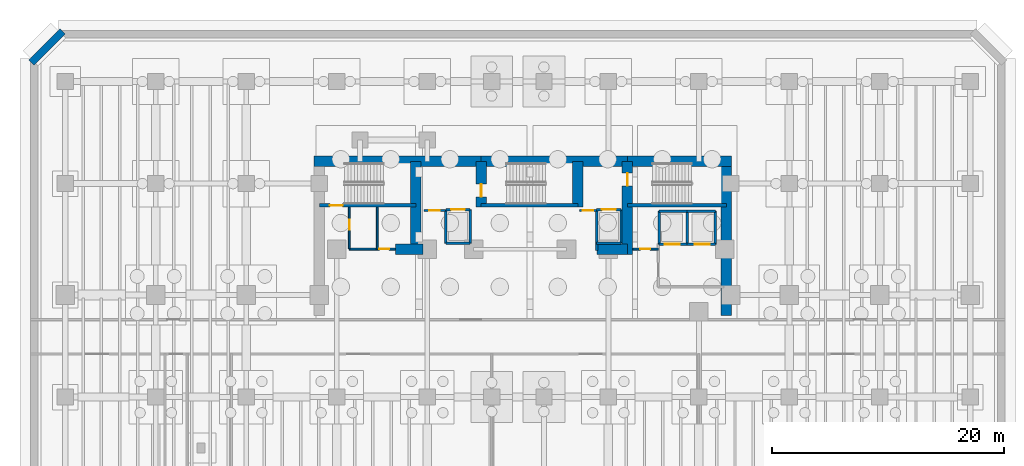
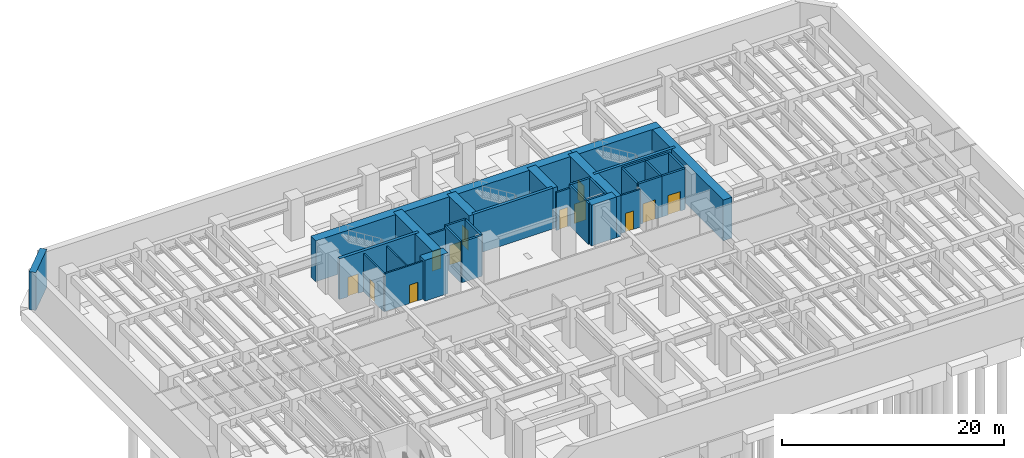
# One storey, part 9 of 13: 35 walls, 12 doors, 12 openings.
"""IFC4 building model written with IfcOpenShell, lengths in metres."""

from ifc_helpers import new_model, si_unit, direction, frame, frame_2d, origin, place, context, subcontext, project, spatial, rectangle, extrude, material, layer, layer_set, type_object, element, fill, save


model = new_model("IFC4")

# Units and contexts
model_context = context("Model", 3, precision=1e-05, world=origin(), true_north=direction((0.0, 1.0)))
body_context = subcontext(model_context, "Body", "Model", "MODEL_VIEW")
ifc_project = project(units=[si_unit("LENGTHUNIT", "METRE"), si_unit("AREAUNIT", "SQUARE_METRE"), si_unit("VOLUMEUNIT", "CUBIC_METRE"), si_unit("PLANEANGLEUNIT", "RADIAN"), si_unit("MASSUNIT", "GRAM", prefix="KILO")], contexts=[model_context])

# Site, building, storey
site_placement = place(None, origin())
site = spatial("IfcSite", under=ifc_project, at=site_placement, CompositionType="ELEMENT")
building_placement = place(site_placement, origin())
building = spatial("IfcBuilding", under=site, at=building_placement, Name="Kestravale Grand Hotel", CompositionType="ELEMENT")
storey_placement = place(building_placement, frame((0.0, 0.0, -9.0)))
storey = spatial("IfcBuildingStorey", under=building, at=storey_placement, Name="B2", CompositionType="ELEMENT", Elevation=-9.0)

# Walls
ifc_material_1 = material(Name="Concrete f'c 70 MPa", Category="concrete")
ifc_layer_1 = layer(ifc_material_1, 0.89990234375)
ifc_layer_set_1 = layer_set([ifc_layer_1], Name="EW-CORE-900")
wall_type_1 = type_object("IfcWallType", Name="EW-CORE-900", PredefinedType="SHEAR", material=ifc_layer_set_1)
wall_1_placement = place(storey_placement, frame((21.449951171875, 40.320068359375, 0.0), z_axis=(0.0, 0.0, 1.0), x_axis=(1.0, 0.0, 0.0)))
element("IfcWall", 1, at=wall_1_placement, inside=storey, type_object=wall_type_1, Name="B2 core shear wall N1", PredefinedType="SHEAR", context=body_context, shape_type="SweptSolid", body=[
    extrude(rectangle(XDim=14.400146484375, YDim=0.89990234375, at=frame_2d((7.2001953125, 0.0))), origin(), (0.0, 0.0, 1.0), 4.5),
])
wall_2_placement = place(storey_placement, frame((35.85009765625, 40.320068359375, 0.0), z_axis=(0.0, 0.0, 1.0), x_axis=(1.0, 0.0, 0.0)))
element("IfcWall", 2, at=wall_2_placement, inside=storey, type_object=wall_type_1, Name="B2 core shear wall N2", PredefinedType="SHEAR", context=body_context, shape_type="SweptSolid", body=[
    extrude(rectangle(XDim=12.599853515625, YDim=0.89990234375, at=frame_2d((6.2998046875, 0.0))), origin(), (0.0, 0.0, 1.0), 4.5),
])
wall_3_placement = place(storey_placement, frame((48.449951171875, 40.320068359375, 0.0), z_axis=(0.0, 0.0, 1.0), x_axis=(1.0, 0.0, 0.0)))
element("IfcWall", 3, at=wall_3_placement, inside=storey, type_object=wall_type_1, Name="B2 core shear wall N3", PredefinedType="SHEAR", context=body_context, shape_type="SweptSolid", body=[
    extrude(rectangle(XDim=8.969970703125, YDim=0.89990234375, at=frame_2d((4.48486328125, 0.0))), origin(), (0.0, 0.0, 1.0), 4.5),
])
wall_4_placement = place(storey_placement, frame((56.969970703125, 27.050048828125, 0.0), z_axis=(0.0, 0.0, 1.0), x_axis=(0.0, 1.0, 0.0)))
element("IfcWall", 4, at=wall_4_placement, inside=storey, type_object=wall_type_1, Name="B2 core shear wall E1", PredefinedType="SHEAR", context=body_context, shape_type="SweptSolid", body=[
    extrude(rectangle(XDim=13.719970703125, YDim=0.89990234375, at=frame_2d((6.85986328125, 0.0))), origin(), (0.0, 0.0, 1.0), 4.5),
])
wall_5_placement = place(storey_placement, frame((28.449951171875, 32.75, 0.0), z_axis=(0.0, 0.0, 1.0), x_axis=(1.0, 0.0, 0.0)))
element("IfcWall", 5, at=wall_5_placement, inside=storey, type_object=wall_type_1, Name="B2 core shear wall S1", PredefinedType="SHEAR", context=body_context, shape_type="SweptSolid", body=[
    extrude(rectangle(XDim=2.400146484375, YDim=0.89990234375, at=frame_2d((1.2001953125, 0.0))), origin(), (0.0, 0.0, 1.0), 4.5),
])
wall_6_placement = place(storey_placement, frame((45.81005859375, 32.75, 0.0), z_axis=(0.0, 0.0, 1.0), x_axis=(1.0, 0.0, 0.0)))
element("IfcWall", 6, at=wall_6_placement, inside=storey, type_object=wall_type_1, Name="B2 core shear wall S2", PredefinedType="SHEAR", context=body_context, shape_type="SweptSolid", body=[
    extrude(rectangle(XDim=2.639892578125, YDim=0.89990234375, at=frame_2d((1.31982421875, 0.0))), origin(), (0.0, 0.0, 1.0), 4.5),
])
wall_7_placement = place(storey_placement, frame((30.219970703125, 33.199951171875, 0.0), z_axis=(0.0, 0.0, 1.0), x_axis=(0.0, 1.0, 0.0)))
element("IfcWall", 7, at=wall_7_placement, inside=storey, type_object=wall_type_1, Name="B2 core shear wall X1", PredefinedType="SHEAR", context=body_context, shape_type="SweptSolid", body=[
    extrude(rectangle(XDim=7.1201171875, YDim=0.89990234375, at=frame_2d((3.56005859375, 0.0))), origin(), (0.0, 0.0, 1.0), 4.5),
])

# Wall, opening, door
wall_8_placement = place(storey_placement, frame((35.85009765625, 36.3701171875, 0.0), z_axis=(0.0, 0.0, 1.0), x_axis=(0.0, 1.0, 0.0)))
wall_8 = element("IfcWall", 8, at=wall_8_placement, inside=storey, type_object=wall_type_1, Name="B2 core shear wall X2", PredefinedType="SHEAR", context=body_context, shape_type="SweptSolid", body=[
    extrude(rectangle(XDim=3.949951171875, YDim=0.89990234375, at=frame_2d((1.97509765625, 0.0))), origin(), (0.0, 0.0, 1.0), 4.5),
])
opening_1_placement = place(wall_8_placement, frame((0.8798828125, 0.0, 0.0)))
opening_1 = element("IfcOpeningElement", 9, at=opening_1_placement, cuts=wall_8, Name="Opening D-ST-1100", PredefinedType="OPENING", context=body_context, shape_type="SweptSolid", body=[
    extrude(rectangle(XDim=1.10009765625, YDim=2.14990234375, at=frame_2d((0.550048828125, 1.074951171875))), frame((0.0, 0.4599609375, 0.0), z_axis=(0.0, -1.0, 0.0), x_axis=(1.0, 0.0, 0.0)), (0.0, 0.0, 1.0), 0.919921875),
])
ifc_material_2 = material(Name="Galvanised 90-minute fire-rated steel stair door", Category="steel")
door_type_1 = type_object("IfcDoorType", Name="D-ST-1100", OperationType="NOTDEFINED", PredefinedType="DOOR", material=ifc_material_2)
door_1_placement = place(opening_1_placement, origin())
door_1 = element("IfcDoor", 10, at=door_1_placement, inside=storey, type_object=door_type_1, Name="B2 Stair ST-2 FSAE fire door", OperationType="SINGLE_SWING_RIGHT", OverallHeight=2.14990234375, OverallWidth=1.10009765625, PredefinedType="DOOR", context=body_context, shape_type="SweptSolid", body=[
    extrude(rectangle(XDim=1.10009765625, YDim=2.14990234375, at=frame_2d((0.550048828125, 1.074951171875))), frame((0.0, 0.02490234375, 0.0), z_axis=(0.0, -1.0, 0.0), x_axis=(1.0, 0.0, 0.0)), (0.0, 0.0, 1.0), 0.050048828125),
])
fill(opening_1, door_1)

# Wall
wall_9_placement = place(storey_placement, frame((44.179931640625, 36.3701171875, 0.0), z_axis=(0.0, 0.0, 1.0), x_axis=(0.0, 1.0, 0.0)))
element("IfcWall", 11, at=wall_9_placement, inside=storey, type_object=wall_type_1, Name="B2 core shear wall X3", PredefinedType="SHEAR", context=body_context, shape_type="SweptSolid", body=[
    extrude(rectangle(XDim=3.949951171875, YDim=0.89990234375, at=frame_2d((1.97509765625, 0.0))), origin(), (0.0, 0.0, 1.0), 4.5),
])

# Wall, opening, door
wall_10_placement = place(storey_placement, frame((48.449951171875, 32.300048828125, 0.0), z_axis=(0.0, 0.0, 1.0), x_axis=(0.0, 1.0, 0.0)))
wall_10 = element("IfcWall", 12, at=wall_10_placement, inside=storey, type_object=wall_type_1, Name="B2 core shear wall X4", PredefinedType="SHEAR", context=body_context, shape_type="SweptSolid", body=[
    extrude(rectangle(XDim=8.02001953125, YDim=0.89990234375, at=frame_2d((4.010009765625, 0.0))), origin(), (0.0, 0.0, 1.0), 4.5),
])
opening_2_placement = place(wall_10_placement, frame((5.89990234375, 0.0, 0.0)))
opening_2 = element("IfcOpeningElement", 13, at=opening_2_placement, cuts=wall_10, Name="Opening D-ST-1100", PredefinedType="OPENING", context=body_context, shape_type="SweptSolid", body=[
    extrude(rectangle(XDim=1.10009765625, YDim=2.14990234375, at=frame_2d((0.550048828125, 1.074951171875))), frame((0.0, 0.4599609375, 0.0), z_axis=(0.0, -1.0, 0.0), x_axis=(1.0, 0.0, 0.0)), (0.0, 0.0, 1.0), 0.919921875),
])
door_2_placement = place(opening_2_placement, origin())
door_2 = element("IfcDoor", 14, at=door_2_placement, inside=storey, type_object=door_type_1, Name="B2 Stair ST-3 FSAE fire door", OperationType="SINGLE_SWING_RIGHT", OverallHeight=2.14990234375, OverallWidth=1.10009765625, PredefinedType="DOOR", context=body_context, shape_type="SweptSolid", body=[
    extrude(rectangle(XDim=1.10009765625, YDim=2.14990234375, at=frame_2d((0.550048828125, 1.074951171875))), frame((0.0, 0.02490234375, 0.0), z_axis=(0.0, -1.0, 0.0), x_axis=(1.0, 0.0, 0.0)), (0.0, 0.0, 1.0), 0.050048828125),
])
fill(opening_2, door_2)

# Wall
ifc_material_3 = material(Name="Concrete f'c 45 MPa", Category="concrete")
ifc_layer_2 = layer(ifc_material_3, 0.64990234375)
ifc_layer_set_2 = layer_set([ifc_layer_2], Name="EW-RET-650")
wall_type_2 = type_object("IfcWallType", Name="EW-RET-650", PredefinedType="USERDEFINED", material=ifc_layer_set_2)
wall_11_placement = place(storey_placement, frame((-0.214599609375, 51.52587890625, 0.0), z_axis=(0.0, 0.0, 1.0), x_axis=(-0.707106781187, -0.707106781187, 0.0)))
element("IfcWall", 15, at=wall_11_placement, inside=storey, type_object=wall_type_2, Name="B2 perimeter retaining wall 6", ObjectType="RETAINING WALL", PredefinedType="USERDEFINED", context=body_context, shape_type="SweptSolid", body=[
    extrude(rectangle(XDim=3.834228515625, YDim=0.64990234375, at=frame_2d((1.9169921875, 0.0))), origin(), (0.0, 0.0, 1.0), 4.179931640625),
])

# Wall, opening, door
ifc_material_4 = material(Name="Concrete f'c 45 MPa", Category="concrete")
ifc_layer_3 = layer(ifc_material_4, 0.300048828125)
ifc_layer_set_3 = layer_set([ifc_layer_3], Name="EW-STAIR-300")
wall_type_3 = type_object("IfcWallType", Name="EW-STAIR-300", PredefinedType="SHEAR", material=ifc_layer_set_3)
wall_12_placement = place(storey_placement, frame((21.89990234375, 36.52001953125, 0.0), z_axis=(0.0, 0.0, 1.0), x_axis=(1.0, 0.0, 0.0)))
wall_12 = element("IfcWall", 16, at=wall_12_placement, inside=storey, type_object=wall_type_3, Name="B2 stair enclosure shear wall SST1", PredefinedType="SHEAR", context=body_context, shape_type="SweptSolid", body=[
    extrude(rectangle(XDim=8.320068359375, YDim=0.300048828125, at=frame_2d((4.16015625, 0.0))), origin(), (0.0, 0.0, 1.0), 4.5),
])
opening_3_placement = place(wall_12_placement, frame((0.89990234375, 0.0, 0.0)))
opening_3 = element("IfcOpeningElement", 17, at=opening_3_placement, cuts=wall_12, Name="Opening D-ST-1100", PredefinedType="OPENING", context=body_context, shape_type="SweptSolid", body=[
    extrude(rectangle(XDim=1.10009765625, YDim=2.14990234375, at=frame_2d((0.550048828125, 1.074951171875))), frame((0.0, 0.159912109375, 0.0), z_axis=(0.0, -1.0, 0.0), x_axis=(1.0, 0.0, 0.0)), (0.0, 0.0, 1.0), 0.320068359375),
])
door_3_placement = place(opening_3_placement, origin())
door_3 = element("IfcDoor", 18, at=door_3_placement, inside=storey, type_object=door_type_1, Name="B2 Stair ST-1 fire door", OperationType="SINGLE_SWING_RIGHT", OverallHeight=2.14990234375, OverallWidth=1.10009765625, PredefinedType="DOOR", context=body_context, shape_type="SweptSolid", body=[
    extrude(rectangle(XDim=1.10009765625, YDim=2.14990234375, at=frame_2d((0.550048828125, 1.074951171875))), frame((0.0, 0.02490234375, 0.0), z_axis=(0.0, -1.0, 0.0), x_axis=(1.0, 0.0, 0.0)), (0.0, 0.0, 1.0), 0.050048828125),
])
fill(opening_3, door_3)

# Walls
wall_13_placement = place(storey_placement, frame((35.85009765625, 36.52001953125, 0.0), z_axis=(0.0, 0.0, 1.0), x_axis=(1.0, 0.0, 0.0)))
element("IfcWall", 19, at=wall_13_placement, inside=storey, type_object=wall_type_3, Name="B2 stair enclosure shear wall SST2", PredefinedType="SHEAR", context=body_context, shape_type="SweptSolid", body=[
    extrude(rectangle(XDim=8.329833984375, YDim=0.300048828125, at=frame_2d((4.1650390625, 0.0))), origin(), (0.0, 0.0, 1.0), 4.5),
])
wall_14_placement = place(storey_placement, frame((48.449951171875, 36.52001953125, 0.0), z_axis=(0.0, 0.0, 1.0), x_axis=(1.0, 0.0, 0.0)))
element("IfcWall", 20, at=wall_14_placement, inside=storey, type_object=wall_type_3, Name="B2 stair enclosure shear wall SST3", PredefinedType="SHEAR", context=body_context, shape_type="SweptSolid", body=[
    extrude(rectangle(XDim=8.52001953125, YDim=0.300048828125, at=frame_2d((4.260009765625, 0.0))), origin(), (0.0, 0.0, 1.0), 4.5),
])

# Wall, opening, door
ifc_material_5 = material(Name="Acoustic fire-rated gypsum board partition", Category="other")
ifc_layer_4 = layer(ifc_material_5, 0.159912109375)
ifc_layer_set_4 = layer_set([ifc_layer_4], Name="IW-CORR-160")
wall_type_4 = type_object("IfcWallType", Name="IW-CORR-160", PredefinedType="PARTITIONING", material=ifc_layer_set_4)
wall_15_placement = place(storey_placement, frame((24.47998046875, 32.800048828125, 0.0), z_axis=(0.0, 0.0, 1.0), x_axis=(0.0, 1.0, 0.0)))
wall_15 = element("IfcWall", 21, at=wall_15_placement, inside=storey, type_object=wall_type_4, Name="B2 west core vestibule wall", PredefinedType="PARTITIONING", context=body_context, shape_type="SweptSolid", body=[
    extrude(rectangle(XDim=3.570068359375, YDim=0.159912109375, at=frame_2d((1.78515625, 0.0))), origin(), (0.0, 0.0, 1.0), 4.179931640625),
])
opening_4_placement = place(wall_15_placement, frame((1.603515625, 0.0, 0.0)))
opening_4 = element("IfcOpeningElement", 22, at=opening_4_placement, cuts=wall_15, Name="Opening D-SH-900", PredefinedType="OPENING", context=body_context, shape_type="SweptSolid", body=[
    extrude(rectangle(XDim=0.89990234375, YDim=2.10009765625, at=frame_2d((0.449951171875, 1.050048828125))), frame((0.0, 0.08984375, 0.0), z_axis=(0.0, -1.0, 0.0), x_axis=(1.0, 0.0, 0.0)), (0.0, 0.0, 1.0), 0.179931640625),
])
ifc_material_6 = material(Name="Galvanised 90-minute shaft and service fire door", Category="steel")
door_type_2 = type_object("IfcDoorType", Name="D-SH-900", OperationType="NOTDEFINED", PredefinedType="DOOR", material=ifc_material_6)
door_4_placement = place(opening_4_placement, origin())
door_4 = element("IfcDoor", 23, at=door_4_placement, inside=storey, type_object=door_type_2, Name="D-B2-HK", OperationType="SINGLE_SWING_RIGHT", OverallHeight=2.10009765625, OverallWidth=0.89990234375, PredefinedType="DOOR", context=body_context, shape_type="SweptSolid", body=[
    extrude(rectangle(XDim=0.89990234375, YDim=2.10009765625, at=frame_2d((0.449951171875, 1.050048828125))), frame((0.0, 0.02490234375, 0.0), z_axis=(0.0, -1.0, 0.0), x_axis=(1.0, 0.0, 0.0)), (0.0, 0.0, 1.0), 0.050048828125),
])
fill(opening_4, door_4)

wall_16_placement = place(storey_placement, frame((24.47998046875, 32.75, 0.0), z_axis=(0.0, 0.0, 1.0), x_axis=(1.0, 0.0, 0.0)))
wall_16 = element("IfcWall", 24, at=wall_16_placement, inside=storey, type_object=wall_type_4, Name="W-B2-CWS", PredefinedType="PARTITIONING", context=body_context, shape_type="SweptSolid", body=[
    extrude(rectangle(XDim=3.969970703125, YDim=0.159912109375, at=frame_2d((1.98486328125, 0.0))), origin(), (0.0, 0.0, 1.0), 4.179931640625),
])
opening_5_placement = place(wall_16_placement, frame((2.5849609375, 0.0, 0.0)))
opening_5 = element("IfcOpeningElement", 25, at=opening_5_placement, cuts=wall_16, Name="Opening D-SH-860", PredefinedType="OPENING", context=body_context, shape_type="SweptSolid", body=[
    extrude(rectangle(XDim=0.860107421875, YDim=2.050048828125, at=frame_2d((0.43017578125, 1.02490234375))), frame((0.0, 0.08984375, 0.0), z_axis=(0.0, -1.0, 0.0), x_axis=(1.0, 0.0, 0.0)), (0.0, 0.0, 1.0), 0.179931640625),
])
ifc_material_7 = material(Name="Galvanised 90-minute riser fire door", Category="steel")
door_type_3 = type_object("IfcDoorType", Name="D-SH-860", OperationType="NOTDEFINED", PredefinedType="DOOR", material=ifc_material_7)
door_5_placement = place(opening_5_placement, origin())
door_5 = element("IfcDoor", 26, at=door_5_placement, inside=storey, type_object=door_type_3, Name="D-B2-ELEC", OperationType="SINGLE_SWING_RIGHT", OverallHeight=2.050048828125, OverallWidth=0.860107421875, PredefinedType="DOOR", context=body_context, shape_type="SweptSolid", body=[
    extrude(rectangle(XDim=0.860107421875, YDim=2.050048828125, at=frame_2d((0.43017578125, 1.02490234375))), frame((0.0, 0.02490234375, 0.0), z_axis=(0.0, -1.0, 0.0), x_axis=(1.0, 0.0, 0.0)), (0.0, 0.0, 1.0), 0.050048828125),
])
fill(opening_5, door_5)

wall_17_placement = place(storey_placement, frame((48.919921875, 32.75, 0.0), z_axis=(0.0, 0.0, 1.0), x_axis=(1.0, 0.0, 0.0)))
wall_17 = element("IfcWall", 27, at=wall_17_placement, inside=storey, type_object=wall_type_4, Name="W-B2-CES", PredefinedType="PARTITIONING", context=body_context, shape_type="SweptSolid", body=[
    extrude(rectangle(XDim=2.2001953125, YDim=0.159912109375, at=frame_2d((1.10009765625, 0.0))), origin(), (0.0, 0.0, 1.0), 4.179931640625),
])
opening_6_placement = place(wall_17_placement, frame((0.64990234375, 0.0, 0.0)))
opening_6 = element("IfcOpeningElement", 28, at=opening_6_placement, cuts=wall_17, Name="Opening D-SH-860", PredefinedType="OPENING", context=body_context, shape_type="SweptSolid", body=[
    extrude(rectangle(XDim=0.860107421875, YDim=2.050048828125, at=frame_2d((0.43017578125, 1.02490234375))), frame((0.0, 0.08984375, 0.0), z_axis=(0.0, -1.0, 0.0), x_axis=(1.0, 0.0, 0.0)), (0.0, 0.0, 1.0), 0.179931640625),
])
door_6_placement = place(opening_6_placement, origin())
door_6 = element("IfcDoor", 29, at=door_6_placement, inside=storey, type_object=door_type_3, Name="B2 CSTO1 door", OperationType="SINGLE_SWING_RIGHT", OverallHeight=2.050048828125, OverallWidth=0.860107421875, PredefinedType="DOOR", context=body_context, shape_type="SweptSolid", body=[
    extrude(rectangle(XDim=0.860107421875, YDim=2.050048828125, at=frame_2d((0.43017578125, 1.02490234375))), frame((0.0, 0.02490234375, 0.0), z_axis=(0.0, -1.0, 0.0), x_axis=(1.0, 0.0, 0.0)), (0.0, 0.0, 1.0), 0.050048828125),
])
fill(opening_6, door_6)

ifc_material_8 = material(Name="Fire-rated gypsum board on steel studs with mineral wool", Category="steel")
ifc_layer_5 = layer(ifc_material_8, 0.179931640625)
ifc_layer_set_5 = layer_set([ifc_layer_5], Name="IW-FSAE-180")
wall_type_5 = type_object("IfcWallType", Name="IW-FSAE-180", PredefinedType="PARTITIONING", material=ifc_layer_set_5)
wall_18_placement = place(storey_placement, frame((30.89990234375, 36.080078125, 0.0), z_axis=(0.0, 0.0, 1.0), x_axis=(1.0, 0.0, 0.0)))
wall_18 = element("IfcWall", 30, at=wall_18_placement, inside=storey, type_object=wall_type_5, Name="B2 FSAE Lobby 1 smoke barrier", PredefinedType="PARTITIONING", context=body_context, shape_type="SweptSolid", body=[
    extrude(rectangle(XDim=1.85009765625, YDim=0.179931640625, at=frame_2d((0.925048828125, 0.0))), origin(), (0.0, 0.0, 1.0), 4.179931640625),
])
opening_7_placement = place(wall_18_placement, frame((0.47998046875, 0.0, 0.0)))
opening_7 = element("IfcOpeningElement", 31, at=opening_7_placement, cuts=wall_18, Name="Opening D-FSAE-1000", PredefinedType="OPENING", context=body_context, shape_type="SweptSolid", body=[
    extrude(rectangle(XDim=0.89990234375, YDim=2.14990234375, at=frame_2d((0.449951171875, 1.074951171875))), frame((0.0, 0.099853515625, 0.0), z_axis=(0.0, -1.0, 0.0), x_axis=(1.0, 0.0, 0.0)), (0.0, 0.0, 1.0), 0.199951171875),
])
ifc_material_9 = material(Name="Smoke-gasketed FSAE lobby fire door", Category="steel")
door_type_4 = type_object("IfcDoorType", Name="D-FSAE-1000", OperationType="NOTDEFINED", PredefinedType="DOOR", material=ifc_material_9)
door_7_placement = place(opening_7_placement, origin())
door_7 = element("IfcDoor", 32, at=door_7_placement, inside=storey, type_object=door_type_4, Name="B2 FSAE Lobby 1 fire door", OperationType="SINGLE_SWING_RIGHT", OverallHeight=2.14990234375, OverallWidth=0.89990234375, PredefinedType="DOOR", context=body_context, shape_type="SweptSolid", body=[
    extrude(rectangle(XDim=0.89990234375, YDim=2.14990234375, at=frame_2d((0.449951171875, 1.074951171875))), frame((0.0, 0.02490234375, 0.0), z_axis=(0.0, -1.0, 0.0), x_axis=(1.0, 0.0, 0.0)), (0.0, 0.0, 1.0), 0.050048828125),
])
fill(opening_7, door_7)

wall_19_placement = place(storey_placement, frame((44.300048828125, 36.080078125, 0.0), z_axis=(0.0, 0.0, 1.0), x_axis=(1.0, 0.0, 0.0)))
wall_19 = element("IfcWall", 33, at=wall_19_placement, inside=storey, type_object=wall_type_5, Name="B2 FSAE Lobby 2 smoke barrier", PredefinedType="PARTITIONING", context=body_context, shape_type="SweptSolid", body=[
    extrude(rectangle(XDim=1.5, YDim=0.179931640625, at=frame_2d((0.75, 0.0))), origin(), (0.0, 0.0, 1.0), 4.179931640625),
])
opening_8_placement = place(wall_19_placement, frame((0.300048828125, 0.0, 0.0)))
opening_8 = element("IfcOpeningElement", 34, at=opening_8_placement, cuts=wall_19, Name="Opening D-FSAE-1000", PredefinedType="OPENING", context=body_context, shape_type="SweptSolid", body=[
    extrude(rectangle(XDim=0.89990234375, YDim=2.14990234375, at=frame_2d((0.449951171875, 1.074951171875))), frame((0.0, 0.099853515625, 0.0), z_axis=(0.0, -1.0, 0.0), x_axis=(1.0, 0.0, 0.0)), (0.0, 0.0, 1.0), 0.199951171875),
])
door_8_placement = place(opening_8_placement, origin())
door_8 = element("IfcDoor", 35, at=door_8_placement, inside=storey, type_object=door_type_4, Name="B2 FSAE Lobby 2 fire door", OperationType="SINGLE_SWING_LEFT", OverallHeight=2.14990234375, OverallWidth=0.89990234375, PredefinedType="DOOR", context=body_context, shape_type="SweptSolid", body=[
    extrude(rectangle(XDim=0.89990234375, YDim=2.14990234375, at=frame_2d((0.449951171875, 1.074951171875))), frame((0.0, 0.02490234375, 0.0), z_axis=(0.0, -1.0, 0.0), x_axis=(1.0, 0.0, 0.0)), (0.0, 0.0, 1.0), 0.050048828125),
])
fill(opening_8, door_8)

# Walls
ifc_material_10 = material(Name="Concrete f'c 45 MPa", Category="concrete")
ifc_layer_6 = layer(ifc_material_10, 0.199951171875)
ifc_layer_set_6 = layer_set([ifc_layer_6], Name="IW-SHAFT-200")
wall_type_6 = type_object("IfcWallType", Name="IW-SHAFT-200", PredefinedType="SHEAR", material=ifc_layer_set_6)
for number, where, z_axis, x_axis, name in (
    (36, (51.179931640625, 33.169921875, 0.0), (0.0, 0.0, 1.0), (0.0, 1.0, 0.0), "B2 SL-1 west shaft wall"),
    (37, (53.60009765625, 33.169921875, 0.0), (0.0, 0.0, 1.0), (0.0, 1.0, 0.0), "B2 SL-2 west shaft wall"),
    (38, (56.02001953125, 33.169921875, 0.0), (0.0, 0.0, 1.0), (0.0, 1.0, 0.0), "B2 SL-2 east shaft wall"),
):
    element("IfcWall", number, at=place(storey_placement, frame(where, z_axis=z_axis, x_axis=x_axis)), inside=storey, type_object=wall_type_6, Name=name, PredefinedType="SHEAR", context=body_context, shape_type="SweptSolid", body=[
        extrude(rectangle(XDim=2.860107421875, YDim=0.199951171875, at=frame_2d((1.43017578125, 0.0))), origin(), (0.0, 0.0, 1.0), 4.5),
    ])
for number, where, z_axis, x_axis, name in (
    (39, (32.804931640625, 33.2451171875, 0.0), (0.0, 0.0, 1.0), (0.0, 1.0, 0.0), "B2 FL-1 west shaft wall"),
    (40, (34.89501953125, 33.2451171875, 0.0), (0.0, 0.0, 1.0), (0.0, 1.0, 0.0), "B2 FL-1 east shaft wall"),
):
    element("IfcWall", number, at=place(storey_placement, frame(where, z_axis=z_axis, x_axis=x_axis)), inside=storey, type_object=wall_type_6, Name=name, PredefinedType="SHEAR", context=body_context, shape_type="SweptSolid", body=[
        extrude(rectangle(XDim=2.909912109375, YDim=0.199951171875, at=frame_2d((1.455078125, 0.0))), origin(), (0.0, 0.0, 1.0), 4.5),
    ])
wall_20_placement = place(storey_placement, frame((45.804931640625, 32.64990234375, 0.0), z_axis=(0.0, 0.0, 1.0), x_axis=(0.0, 1.0, 0.0)))
element("IfcWall", 41, at=wall_20_placement, inside=storey, type_object=wall_type_6, Name="B2 FL-2 west shaft wall", PredefinedType="SHEAR", context=body_context, shape_type="SweptSolid", body=[
    extrude(rectangle(XDim=3.505126953125, YDim=0.199951171875, at=frame_2d((1.75244140625, 0.0))), origin(), (0.0, 0.0, 1.0), 4.5),
])
wall_21_placement = place(storey_placement, frame((47.89501953125, 33.2451171875, 0.0), z_axis=(0.0, 0.0, 1.0), x_axis=(0.0, 1.0, 0.0)))
element("IfcWall", 42, at=wall_21_placement, inside=storey, type_object=wall_type_6, Name="B2 FL-2 east shaft wall", PredefinedType="SHEAR", context=body_context, shape_type="SweptSolid", body=[
    extrude(rectangle(XDim=2.909912109375, YDim=0.199951171875, at=frame_2d((1.455078125, 0.0))), origin(), (0.0, 0.0, 1.0), 4.5),
])
ifc_material_11 = material(Name="Concrete f'c 45 MPa", Category="concrete")
ifc_layer_7 = layer(ifc_material_11, 0.219970703125)
ifc_layer_set_7 = layer_set([ifc_layer_7], Name="IW-SHAFT-220")
wall_type_7 = type_object("IfcWallType", Name="IW-SHAFT-220", PredefinedType="SHEAR", material=ifc_layer_set_7)
wall_22_placement = place(storey_placement, frame((51.179931640625, 36.030029296875, 0.0), z_axis=(0.0, 0.0, 1.0), x_axis=(1.0, 0.0, 0.0)))
element("IfcWall", 43, at=wall_22_placement, inside=storey, type_object=wall_type_7, Name="B2 SL-1 north shaft wall", PredefinedType="SHEAR", context=body_context, shape_type="SweptSolid", body=[
    extrude(rectangle(XDim=2.420166015625, YDim=0.219970703125, at=frame_2d((1.2099609375, 0.0))), origin(), (0.0, 0.0, 1.0), 4.5),
])

# Wall, opening, door
wall_23_placement = place(storey_placement, frame((51.179931640625, 33.169921875, 0.0), z_axis=(0.0, 0.0, 1.0), x_axis=(1.0, 0.0, 0.0)))
wall_23 = element("IfcWall", 44, at=wall_23_placement, inside=storey, type_object=wall_type_7, Name="B2 SL-1 south shaft wall", PredefinedType="SHEAR", context=body_context, shape_type="SweptSolid", body=[
    extrude(rectangle(XDim=2.420166015625, YDim=0.219970703125, at=frame_2d((1.2099609375, 0.0))), origin(), (0.0, 0.0, 1.0), 4.5),
])
opening_9_placement = place(wall_23_placement, frame((0.469970703125, 0.0, 0.0)))
opening_9 = element("IfcOpeningElement", 45, at=opening_9_placement, cuts=wall_23, Name="Opening LD-SVC-1300", PredefinedType="OPENING", context=body_context, shape_type="SweptSolid", body=[
    extrude(rectangle(XDim=1.300048828125, YDim=2.14990234375, at=frame_2d((0.64990234375, 1.074951171875))), frame((0.0, 0.119873046875, 0.0), z_axis=(0.0, -1.0, 0.0), x_axis=(1.0, 0.0, 0.0)), (0.0, 0.0, 1.0), 0.239990234375),
])
ifc_material_12 = material(Name="Heavy-duty service sliding elevator landing door", Category="steel")
door_type_5 = type_object("IfcDoorType", Name="LD-SVC-1300", OperationType="NOTDEFINED", PredefinedType="DOOR", material=ifc_material_12)
door_9_placement = place(opening_9_placement, origin())
door_9 = element("IfcDoor", 46, at=door_9_placement, inside=storey, type_object=door_type_5, Name="B2 SL-1 elevator landing sliding door", OperationType="DOUBLE_DOOR_SLIDING", OverallHeight=2.14990234375, OverallWidth=1.300048828125, PredefinedType="DOOR", context=body_context, shape_type="SweptSolid", body=[
    extrude(rectangle(XDim=1.300048828125, YDim=2.14990234375, at=frame_2d((0.64990234375, 1.074951171875))), frame((0.0, 0.02490234375, 0.0), z_axis=(0.0, -1.0, 0.0), x_axis=(1.0, 0.0, 0.0)), (0.0, 0.0, 1.0), 0.050048828125),
])
fill(opening_9, door_9)

# Wall
wall_24_placement = place(storey_placement, frame((53.60009765625, 36.030029296875, 0.0), z_axis=(0.0, 0.0, 1.0), x_axis=(1.0, 0.0, 0.0)))
element("IfcWall", 47, at=wall_24_placement, inside=storey, type_object=wall_type_7, Name="B2 SL-2 north shaft wall", PredefinedType="SHEAR", context=body_context, shape_type="SweptSolid", body=[
    extrude(rectangle(XDim=2.419921875, YDim=0.219970703125, at=frame_2d((1.2099609375, 0.0))), origin(), (0.0, 0.0, 1.0), 4.5),
])

# Wall, opening, door
wall_25_placement = place(storey_placement, frame((53.60009765625, 33.169921875, 0.0), z_axis=(0.0, 0.0, 1.0), x_axis=(1.0, 0.0, 0.0)))
wall_25 = element("IfcWall", 48, at=wall_25_placement, inside=storey, type_object=wall_type_7, Name="B2 SL-2 south shaft wall", PredefinedType="SHEAR", context=body_context, shape_type="SweptSolid", body=[
    extrude(rectangle(XDim=2.419921875, YDim=0.219970703125, at=frame_2d((1.2099609375, 0.0))), origin(), (0.0, 0.0, 1.0), 4.5),
])
opening_10_placement = place(wall_25_placement, frame((0.64990234375, 0.0, 0.0)))
opening_10 = element("IfcOpeningElement", 49, at=opening_10_placement, cuts=wall_25, Name="Opening LD-SVC-1300", PredefinedType="OPENING", context=body_context, shape_type="SweptSolid", body=[
    extrude(rectangle(XDim=1.300048828125, YDim=2.14990234375, at=frame_2d((0.64990234375, 1.074951171875))), frame((0.0, 0.119873046875, 0.0), z_axis=(0.0, -1.0, 0.0), x_axis=(1.0, 0.0, 0.0)), (0.0, 0.0, 1.0), 0.239990234375),
])
door_10_placement = place(opening_10_placement, origin())
door_10 = element("IfcDoor", 50, at=door_10_placement, inside=storey, type_object=door_type_5, Name="B2 SL-2 elevator landing sliding door", OperationType="DOUBLE_DOOR_SLIDING", OverallHeight=2.14990234375, OverallWidth=1.300048828125, PredefinedType="DOOR", context=body_context, shape_type="SweptSolid", body=[
    extrude(rectangle(XDim=1.300048828125, YDim=2.14990234375, at=frame_2d((0.64990234375, 1.074951171875))), frame((0.0, 0.02490234375, 0.0), z_axis=(0.0, -1.0, 0.0), x_axis=(1.0, 0.0, 0.0)), (0.0, 0.0, 1.0), 0.050048828125),
])
fill(opening_10, door_10)

wall_26_placement = place(storey_placement, frame((32.804931640625, 36.155029296875, 0.0), z_axis=(0.0, 0.0, 1.0), x_axis=(1.0, 0.0, 0.0)))
wall_26 = element("IfcWall", 51, at=wall_26_placement, inside=storey, type_object=wall_type_7, Name="B2 FL-1 north shaft wall", PredefinedType="SHEAR", context=body_context, shape_type="SweptSolid", body=[
    extrude(rectangle(XDim=2.090087890625, YDim=0.219970703125, at=frame_2d((1.044921875, 0.0))), origin(), (0.0, 0.0, 1.0), 4.5),
])
opening_11_placement = place(wall_26_placement, frame((0.445068359375, 0.0, 0.0)))
opening_11 = element("IfcOpeningElement", 52, at=opening_11_placement, cuts=wall_26, Name="Opening LD-FSAE-1200", PredefinedType="OPENING", context=body_context, shape_type="SweptSolid", body=[
    extrude(rectangle(XDim=1.199951171875, YDim=2.14990234375, at=frame_2d((0.60009765625, 1.074951171875))), frame((0.0, 0.119873046875, 0.0), z_axis=(0.0, -1.0, 0.0), x_axis=(1.0, 0.0, 0.0)), (0.0, 0.0, 1.0), 0.239990234375),
])
ifc_material_13 = material(Name="Stainless fire-service sliding elevator landing door", Category="steel")
door_type_6 = type_object("IfcDoorType", Name="LD-FSAE-1200", OperationType="NOTDEFINED", PredefinedType="DOOR", material=ifc_material_13)
door_11_placement = place(opening_11_placement, origin())
door_11 = element("IfcDoor", 53, at=door_11_placement, inside=storey, type_object=door_type_6, Name="B2 FL-1 elevator landing sliding door", OperationType="DOUBLE_DOOR_SLIDING", OverallHeight=2.14990234375, OverallWidth=1.199951171875, PredefinedType="DOOR", context=body_context, shape_type="SweptSolid", body=[
    extrude(rectangle(XDim=1.199951171875, YDim=2.14990234375, at=frame_2d((0.60009765625, 1.074951171875))), frame((0.0, 0.02490234375, 0.0), z_axis=(0.0, -1.0, 0.0), x_axis=(1.0, 0.0, 0.0)), (0.0, 0.0, 1.0), 0.050048828125),
])
fill(opening_11, door_11)

# Wall
wall_27_placement = place(storey_placement, frame((32.804931640625, 33.2451171875, 0.0), z_axis=(0.0, 0.0, 1.0), x_axis=(1.0, 0.0, 0.0)))
element("IfcWall", 54, at=wall_27_placement, inside=storey, type_object=wall_type_7, Name="B2 FL-1 south shaft wall", PredefinedType="SHEAR", context=body_context, shape_type="SweptSolid", body=[
    extrude(rectangle(XDim=2.090087890625, YDim=0.219970703125, at=frame_2d((1.044921875, 0.0))), origin(), (0.0, 0.0, 1.0), 4.5),
])

# Wall, opening, door
wall_28_placement = place(storey_placement, frame((45.804931640625, 36.155029296875, 0.0), z_axis=(0.0, 0.0, 1.0), x_axis=(1.0, 0.0, 0.0)))
wall_28 = element("IfcWall", 55, at=wall_28_placement, inside=storey, type_object=wall_type_7, Name="B2 FL-2 north shaft wall", PredefinedType="SHEAR", context=body_context, shape_type="SweptSolid", body=[
    extrude(rectangle(XDim=2.090087890625, YDim=0.219970703125, at=frame_2d((1.044921875, 0.0))), origin(), (0.0, 0.0, 1.0), 4.5),
])
opening_12_placement = place(wall_28_placement, frame((0.445068359375, 0.0, 0.0)))
opening_12 = element("IfcOpeningElement", 56, at=opening_12_placement, cuts=wall_28, Name="Opening LD-FSAE-1200", PredefinedType="OPENING", context=body_context, shape_type="SweptSolid", body=[
    extrude(rectangle(XDim=1.199951171875, YDim=2.14990234375, at=frame_2d((0.60009765625, 1.074951171875))), frame((0.0, 0.119873046875, 0.0), z_axis=(0.0, -1.0, 0.0), x_axis=(1.0, 0.0, 0.0)), (0.0, 0.0, 1.0), 0.239990234375),
])
door_12_placement = place(opening_12_placement, origin())
door_12 = element("IfcDoor", 57, at=door_12_placement, inside=storey, type_object=door_type_6, Name="B2 FL-2 elevator landing sliding door", OperationType="DOUBLE_DOOR_SLIDING", OverallHeight=2.14990234375, OverallWidth=1.199951171875, PredefinedType="DOOR", context=body_context, shape_type="SweptSolid", body=[
    extrude(rectangle(XDim=1.199951171875, YDim=2.14990234375, at=frame_2d((0.60009765625, 1.074951171875))), frame((0.0, 0.02490234375, 0.0), z_axis=(0.0, -1.0, 0.0), x_axis=(1.0, 0.0, 0.0)), (0.0, 0.0, 1.0), 0.050048828125),
])
fill(opening_12, door_12)

# Walls
wall_29_placement = place(storey_placement, frame((45.804931640625, 33.2451171875, 0.0), z_axis=(0.0, 0.0, 1.0), x_axis=(1.0, 0.0, 0.0)))
element("IfcWall", 58, at=wall_29_placement, inside=storey, type_object=wall_type_7, Name="B2 FL-2 south shaft wall", PredefinedType="SHEAR", context=body_context, shape_type="SweptSolid", body=[
    extrude(rectangle(XDim=2.090087890625, YDim=0.219970703125, at=frame_2d((1.044921875, 0.0))), origin(), (0.0, 0.0, 1.0), 4.5),
])
ifc_material_14 = material(Name="Double-stud STC 52 acoustic demising partition", Category="other")
ifc_layer_8 = layer(ifc_material_14, 0.14990234375)
ifc_layer_set_8 = layer_set([ifc_layer_8], Name="IW-UNIT-150")
wall_type_8 = type_object("IfcWallType", Name="IW-UNIT-150", PredefinedType="PARTITIONING", material=ifc_layer_set_8)
wall_30_placement = place(storey_placement, frame((26.8798828125, 32.75, 0.0), z_axis=(0.0, 0.0, 1.0), x_axis=(0.0, 1.0, 0.0)))
element("IfcWall", 59, at=wall_30_placement, inside=storey, type_object=wall_type_8, Name="W-B2-CC0-1", PredefinedType="PARTITIONING", context=body_context, shape_type="SweptSolid", body=[
    extrude(rectangle(XDim=3.6201171875, YDim=0.14990234375, at=frame_2d((1.81005859375, 0.0))), origin(), (0.0, 0.0, 1.0), 4.179931640625),
])

save(model, "model.ifc")
